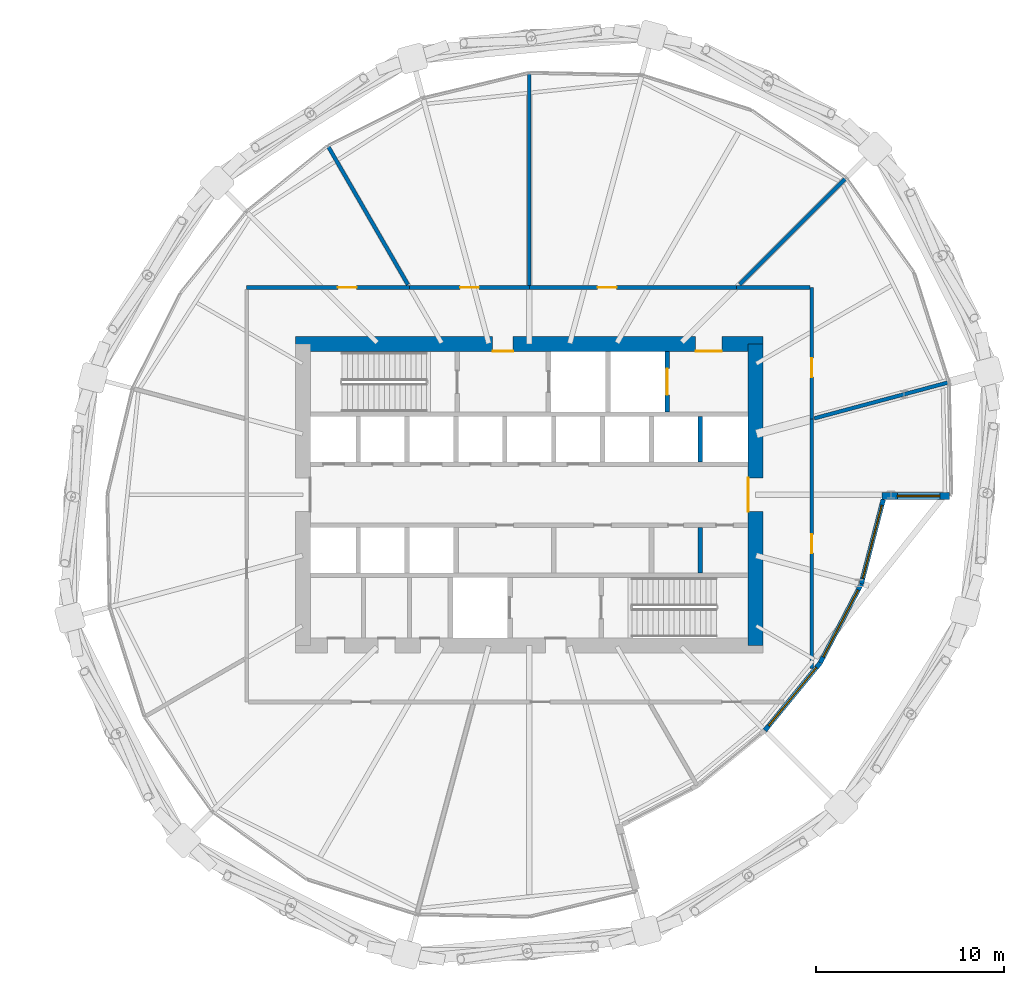
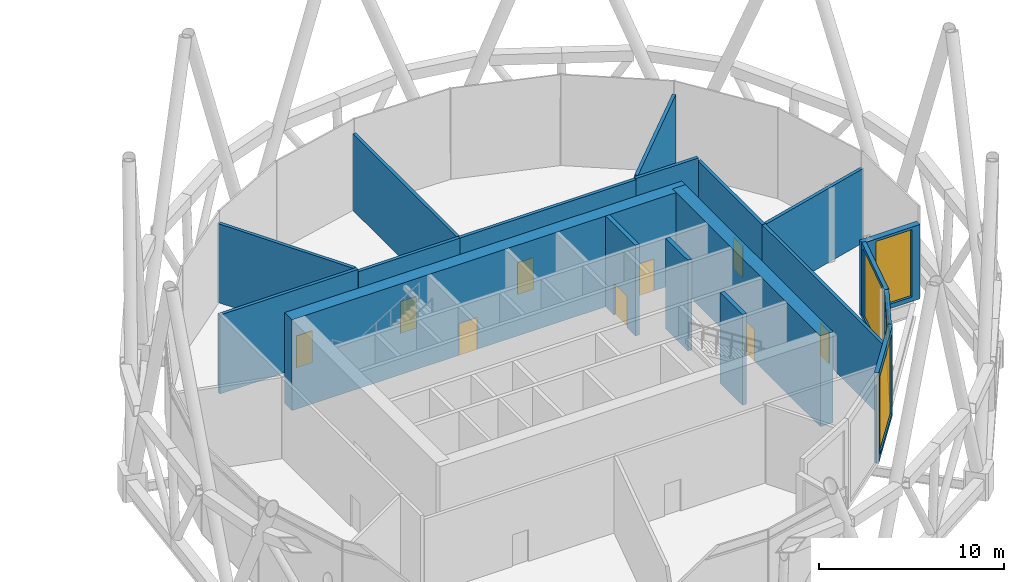
# One storey, part 30 of 33: 19 walls, 9 doors, 4 windows, 13 openings.
"""IFC4 building model written with IfcOpenShell, lengths in metres."""

from ifc_helpers import new_model, si_unit, direction, frame, frame_2d, origin, place, context, subcontext, project, spatial, rectangle, extrude, material, layer, layer_set, type_object, element, fill, save


model = new_model("IFC4")

# Units and contexts
model_context = context("Model", 3, precision=1e-05, world=origin(), true_north=direction((0.0, 1.0)))
body_context = subcontext(model_context, "Body", "Model", "MODEL_VIEW")
ifc_project = project(units=[si_unit("LENGTHUNIT", "METRE"), si_unit("AREAUNIT", "SQUARE_METRE"), si_unit("VOLUMEUNIT", "CUBIC_METRE"), si_unit("PLANEANGLEUNIT", "RADIAN"), si_unit("MASSUNIT", "GRAM", prefix="KILO")], contexts=[model_context])

# Site, building, storey
site_placement = place(None, origin())
site = spatial("IfcSite", under=ifc_project, at=site_placement, CompositionType="ELEMENT")
building_placement = place(site_placement, origin())
building = spatial("IfcBuilding", under=site, at=building_placement, Name="Rimbun Link Towers", CompositionType="ELEMENT")
storey_placement = place(building_placement, frame((0.0, 0.0, 75.60009765625)))
storey = spatial("IfcBuildingStorey", under=building, at=storey_placement, Name="L18", CompositionType="ELEMENT", Elevation=75.60009765625)

# Wall, opening, window
ifc_material_1 = material(Name="Dark enamelled glass spandrel on insulated aluminium backpan", Category="aluminium")
ifc_layer_1 = layer(ifc_material_1, 0.25)
ifc_layer_set_1 = layer_set([ifc_layer_1], Name="CS dark enamelled spandrel wall 250")
wall_type_1 = type_object("IfcWallType", Name="CS dark enamelled spandrel wall 250", PredefinedType="STANDARD", material=ifc_layer_set_1)
wall_1_placement = place(storey_placement, frame((47.193359375, -8.9248046875, 0.0), z_axis=(0.0, 0.0, 1.0), x_axis=(-0.633295189268, -0.773910332823, 0.0)))
wall_1 = element("IfcWall", 1, at=wall_1_placement, inside=storey, type_object=wall_type_1, Name="Crease spandrel wall", PredefinedType="STANDARD", context=body_context, shape_type="SweptSolid", body=[
    extrude(rectangle(XDim=4.63232421875, YDim=0.25, at=frame_2d((2.316162109375, 0.0))), origin(), (0.0, 0.0, 1.0), 6.0),
])
opening_1_placement = place(wall_1_placement, frame((0.316162109375, 0.0, 0.300048828125)))
opening_1 = element("IfcOpeningElement", 2, at=opening_1_placement, cuts=wall_1, Name="Opening WR40H520", PredefinedType="OPENING", context=body_context, shape_type="SweptSolid", body=[
    extrude(rectangle(XDim=4.0, YDim=5.199951171875, at=frame_2d((2.0, 2.60009765625))), frame((0.0, 0.135009765625, 0.0), z_axis=(0.0, -1.0, 0.0), x_axis=(1.0, 0.0, 0.0)), (0.0, 0.0, 1.0), 0.27001953125),
])
ifc_material_2 = material(Name="Aluminium framed fixed window, dark tinted low-e glass", Category="aluminium")
window_type_1 = type_object("IfcWindowType", Name="WR ribbon window 4000X5200", PartitioningType="SINGLE_PANEL", PredefinedType="WINDOW", material=ifc_material_2)
window_1_placement = place(opening_1_placement, origin())
window_1 = element("IfcWindow", 3, at=window_1_placement, inside=storey, type_object=window_type_1, Name="Crease ribbon window", OverallHeight=5.199951171875, OverallWidth=4.0, PartitioningType="SINGLE_PANEL", PredefinedType="WINDOW", context=body_context, shape_type="SweptSolid", body=[
    extrude(rectangle(XDim=4.0, YDim=5.199951171875, at=frame_2d((2.0, 2.60009765625))), frame((0.0, 0.030029296875, 0.0), z_axis=(0.0, -1.0, 0.0), x_axis=(1.0, 0.0, 0.0)), (0.0, 0.0, 1.0), 0.06005859375),
])
fill(opening_1, window_1)

wall_2_placement = place(storey_placement, frame((49.373779296875, -4.736083984375, 0.0), z_axis=(0.0, 0.0, 1.0), x_axis=(-0.461733607969, -0.887018644264, 0.0)))
wall_2 = element("IfcWall", 4, at=wall_2_placement, inside=storey, type_object=wall_type_1, Name="Crease spandrel wall", PredefinedType="STANDARD", context=body_context, shape_type="SweptSolid", body=[
    extrude(rectangle(XDim=4.72216796875, YDim=0.25, at=frame_2d((2.361083984375, 0.0))), origin(), (0.0, 0.0, 1.0), 4.989013671875),
])
opening_2_placement = place(wall_2_placement, frame((0.361083984375, 0.0, 0.300048828125)))
opening_2 = element("IfcOpeningElement", 5, at=opening_2_placement, cuts=wall_2, Name="Opening WR40H445", PredefinedType="OPENING", context=body_context, shape_type="SweptSolid", body=[
    extrude(rectangle(XDim=4.0, YDim=4.449951171875, at=frame_2d((2.0, 2.22509765625))), frame((0.0, 0.135009765625, 0.0), z_axis=(0.0, -1.0, 0.0), x_axis=(1.0, 0.0, 0.0)), (0.0, 0.0, 1.0), 0.27001953125),
])
ifc_material_3 = material(Name="Aluminium framed fixed window, dark tinted low-e glass", Category="aluminium")
window_type_2 = type_object("IfcWindowType", Name="WR ribbon window 4000X4450", PartitioningType="SINGLE_PANEL", PredefinedType="WINDOW", material=ifc_material_3)
window_2_placement = place(opening_2_placement, origin())
window_2 = element("IfcWindow", 6, at=window_2_placement, inside=storey, type_object=window_type_2, Name="Crease ribbon window", OverallHeight=4.449951171875, OverallWidth=4.0, PartitioningType="SINGLE_PANEL", PredefinedType="WINDOW", context=body_context, shape_type="SweptSolid", body=[
    extrude(rectangle(XDim=4.0, YDim=4.449951171875, at=frame_2d((2.0, 2.22509765625))), frame((0.0, 0.030029296875, 0.0), z_axis=(0.0, -1.0, 0.0), x_axis=(1.0, 0.0, 0.0)), (0.0, 0.0, 1.0), 0.06005859375),
])
fill(opening_2, window_2)

wall_3_placement = place(storey_placement, frame((50.542236328125, -0.25, 0.0), z_axis=(0.0, 0.0, 1.0), x_axis=(-0.252053132883, -0.967713396726, 0.0)))
wall_3 = element("IfcWall", 7, at=wall_3_placement, inside=storey, type_object=wall_type_1, Name="Crease spandrel wall", PredefinedType="STANDARD", context=body_context, shape_type="SweptSolid", body=[
    extrude(rectangle(XDim=4.6357421875, YDim=0.25, at=frame_2d((2.31787109375, 0.0))), origin(), (0.0, 0.0, 1.0), 4.989013671875),
])
opening_3_placement = place(wall_3_placement, frame((0.31787109375, 0.0, 0.300048828125)))
opening_3 = element("IfcOpeningElement", 8, at=opening_3_placement, cuts=wall_3, Name="Opening WR40H445", PredefinedType="OPENING", context=body_context, shape_type="SweptSolid", body=[
    extrude(rectangle(XDim=4.0, YDim=4.449951171875, at=frame_2d((2.0, 2.22509765625))), frame((0.0, 0.135009765625, 0.0), z_axis=(0.0, -1.0, 0.0), x_axis=(1.0, 0.0, 0.0)), (0.0, 0.0, 1.0), 0.27001953125),
])
window_3_placement = place(opening_3_placement, origin())
window_3 = element("IfcWindow", 9, at=window_3_placement, inside=storey, type_object=window_type_2, Name="Crease ribbon window", OverallHeight=4.449951171875, OverallWidth=4.0, PartitioningType="SINGLE_PANEL", PredefinedType="WINDOW", context=body_context, shape_type="SweptSolid", body=[
    extrude(rectangle(XDim=4.0, YDim=4.449951171875, at=frame_2d((2.0, 2.22509765625))), frame((0.0, 0.030029296875, 0.0), z_axis=(0.0, -1.0, 0.0), x_axis=(1.0, 0.0, 0.0)), (0.0, 0.0, 1.0), 0.06005859375),
])
fill(opening_3, window_3)

ifc_material_4 = material(Name="Dark enamelled glass spandrel on insulated aluminium backpan", Category="aluminium")
ifc_layer_2 = layer(ifc_material_4, 0.3701171875)
ifc_layer_set_2 = layer_set([ifc_layer_2], Name="CS dark enamelled spandrel wall 370")
wall_type_2 = type_object("IfcWallType", Name="CS dark enamelled spandrel wall 370", PredefinedType="STANDARD", material=ifc_layer_set_2)
wall_4_placement = place(storey_placement, frame((54.058349609375, -0.06494140625, 0.0), z_axis=(0.0, 0.0, 1.0), x_axis=(-1.0, 0.0, 0.0)))
wall_4 = element("IfcWall", 10, at=wall_4_placement, inside=storey, type_object=wall_type_2, Name="Crease spandrel wall", PredefinedType="STANDARD", context=body_context, shape_type="SweptSolid", body=[
    extrude(rectangle(XDim=3.580078125, YDim=0.3701171875, at=frame_2d((1.7900390625, 0.0))), origin(), (0.0, 0.0, 1.0), 4.91162109375),
])
opening_4_placement = place(wall_4_placement, frame((0.51220703125, 0.0, 0.300048828125)))
opening_4 = element("IfcOpeningElement", 11, at=opening_4_placement, cuts=wall_4, Name="Opening WR22H445", PredefinedType="OPENING", context=body_context, shape_type="SweptSolid", body=[
    extrude(rectangle(XDim=2.25, YDim=4.449951171875, at=frame_2d((1.125, 2.22509765625))), frame((0.0, 0.195068359375, 0.0), z_axis=(0.0, -1.0, 0.0), x_axis=(1.0, 0.0, 0.0)), (0.0, 0.0, 1.0), 0.39013671875),
])
ifc_material_5 = material(Name="Aluminium framed fixed window, dark tinted low-e glass", Category="aluminium")
window_type_3 = type_object("IfcWindowType", Name="WR ribbon window 2250X4450", PartitioningType="SINGLE_PANEL", PredefinedType="WINDOW", material=ifc_material_5)
window_4_placement = place(opening_4_placement, origin())
window_4 = element("IfcWindow", 12, at=window_4_placement, inside=storey, type_object=window_type_3, Name="Crease ribbon window", OverallHeight=4.449951171875, OverallWidth=2.25, PartitioningType="SINGLE_PANEL", PredefinedType="WINDOW", context=body_context, shape_type="SweptSolid", body=[
    extrude(rectangle(XDim=2.25, YDim=4.449951171875, at=frame_2d((1.125, 2.22509765625))), frame((0.0, 0.030029296875, 0.0), z_axis=(0.0, -1.0, 0.0), x_axis=(1.0, 0.0, 0.0)), (0.0, 0.0, 1.0), 0.06005859375),
])
fill(opening_4, window_4)

# Wall, openings, doors
ifc_material_6 = material(Name="Concrete C60/75", Category="concrete")
ifc_layer_3 = layer(ifc_material_6, 0.800048828125)
ifc_layer_set_3 = layer_set([ifc_layer_3], Name="Core shear wall 800")
wall_type_3 = type_object("IfcWallType", Name="Core shear wall 800", PredefinedType="SHEAR", material=ifc_layer_set_3)
wall_5_placement = place(storey_placement, frame((19.35009765625, 8.0, 0.0), z_axis=(0.0, 0.0, 1.0), x_axis=(1.0, 0.0, 0.0)))
wall_5 = element("IfcWall", 13, at=wall_5_placement, inside=storey, type_object=wall_type_3, Name="L18 T2 core wall N", PredefinedType="SHEAR", context=body_context, shape_type="SweptSolid", body=[
    extrude(rectangle(XDim=24.7998046875, YDim=0.800048828125, at=frame_2d((12.39990234375, 0.0))), origin(), (0.0, 0.0, 1.0), 6.0),
])
opening_5_placement = place(wall_5_placement, frame((10.449951171875, 0.0, 0.0)))
opening_5 = element("IfcOpeningElement", 14, at=opening_5_placement, cuts=wall_5, Name="Opening C2DCF01N", PredefinedType="OPENING", context=body_context, shape_type="SweptSolid", body=[
    extrude(rectangle(XDim=1.10009765625, YDim=2.10009765625, at=frame_2d((0.550048828125, 1.050048828125))), frame((0.0, 0.409912109375, 0.0), z_axis=(0.0, -1.0, 0.0), x_axis=(1.0, 0.0, 0.0)), (0.0, 0.0, 1.0), 0.820068359375),
])
opening_6_placement = place(wall_5_placement, frame((21.22509765625, 0.0, 0.0)))
opening_6 = element("IfcOpeningElement", 15, at=opening_6_placement, cuts=wall_5, Name="Opening C2DSL02N", PredefinedType="OPENING", context=body_context, shape_type="SweptSolid", body=[
    extrude(rectangle(XDim=1.39990234375, YDim=2.10009765625, at=frame_2d((0.699951171875, 1.050048828125))), frame((0.0, 0.409912109375, 0.0), z_axis=(0.0, -1.0, 0.0), x_axis=(1.0, 0.0, 0.0)), (0.0, 0.0, 1.0), 0.820068359375),
])
ifc_material_7 = material(Name="Steel fire door set", Category="steel")
door_type_1 = type_object("IfcDoorType", Name="Core fire door single", OperationType="SINGLE_SWING_LEFT", PredefinedType="DOOR", material=ifc_material_7)
door_1_placement = place(opening_5_placement, origin())
door_1 = element("IfcDoor", 16, at=door_1_placement, inside=storey, type_object=door_type_1, Name="L18 T2 firefighting lobby n door", OperationType="SINGLE_SWING_LEFT", OverallHeight=2.10009765625, OverallWidth=1.10009765625, PredefinedType="DOOR", context=body_context, shape_type="SweptSolid", body=[
    extrude(rectangle(XDim=1.10009765625, YDim=2.10009765625, at=frame_2d((0.550048828125, 1.050048828125))), frame((0.0, -0.35009765625, 0.0), z_axis=(0.0, -1.0, 0.0), x_axis=(1.0, 0.0, 0.0)), (0.0, 0.0, 1.0), 0.050048828125),
])
fill(opening_5, door_1)
ifc_material_8 = material(Name="Steel fire door set", Category="steel")
door_type_2 = type_object("IfcDoorType", Name="Service lobby door double", OperationType="DOUBLE_DOOR_SINGLE_SWING", PredefinedType="DOOR", material=ifc_material_8)
door_2_placement = place(opening_6_placement, origin())
door_2 = element("IfcDoor", 17, at=door_2_placement, inside=storey, type_object=door_type_2, Name="L18 T2 service lobby door", OperationType="DOUBLE_DOOR_SINGLE_SWING", OverallHeight=2.10009765625, OverallWidth=1.39990234375, PredefinedType="DOOR", context=body_context, shape_type="SweptSolid", body=[
    extrude(rectangle(XDim=1.39990234375, YDim=2.10009765625, at=frame_2d((0.699951171875, 1.050048828125))), frame((0.0, -0.35009765625, 0.0), z_axis=(0.0, -1.0, 0.0), x_axis=(1.0, 0.0, 0.0)), (0.0, 0.0, 1.0), 0.050048828125),
])
fill(opening_6, door_2)

# Wall, opening, door
wall_6_placement = place(storey_placement, frame((43.75, -8.0, 0.0), z_axis=(0.0, 0.0, 1.0), x_axis=(0.0, 1.0, 0.0)))
wall_6 = element("IfcWall", 18, at=wall_6_placement, inside=storey, type_object=wall_type_3, Name="L18 T2 core wall E", PredefinedType="SHEAR", context=body_context, shape_type="SweptSolid", body=[
    extrude(rectangle(XDim=16.0, YDim=0.800048828125, at=frame_2d((8.0, 0.0))), origin(), (0.0, 0.0, 1.0), 6.0),
])
opening_7_placement = place(wall_6_placement, frame((7.10009765625, 0.0, 0.0)))
opening_7 = element("IfcOpeningElement", 19, at=opening_7_placement, cuts=wall_6, Name="Opening C2DCL01E", PredefinedType="OPENING", context=body_context, shape_type="SweptSolid", body=[
    extrude(rectangle(XDim=1.800048828125, YDim=2.10009765625, at=frame_2d((0.89990234375, 1.050048828125))), frame((0.0, 0.409912109375, 0.0), z_axis=(0.0, -1.0, 0.0), x_axis=(1.0, 0.0, 0.0)), (0.0, 0.0, 1.0), 0.820068359375),
])
ifc_material_9 = material(Name="Steel fire door set", Category="steel")
door_type_3 = type_object("IfcDoorType", Name="Core lobby door double", OperationType="DOUBLE_DOOR_SINGLE_SWING", PredefinedType="DOOR", material=ifc_material_9)
door_3_placement = place(opening_7_placement, origin())
door_3 = element("IfcDoor", 20, at=door_3_placement, inside=storey, type_object=door_type_3, Name="L18 T2 lift lobby door", OperationType="DOUBLE_DOOR_SINGLE_SWING", OverallHeight=2.10009765625, OverallWidth=1.800048828125, PredefinedType="DOOR", context=body_context, shape_type="SweptSolid", body=[
    extrude(rectangle(XDim=1.800048828125, YDim=2.10009765625, at=frame_2d((0.89990234375, 1.050048828125))), frame((0.0, 0.39990234375, 0.0), z_axis=(0.0, -1.0, 0.0), x_axis=(1.0, 0.0, 0.0)), (0.0, 0.0, 1.0), 0.050048828125),
])
fill(opening_7, door_3)

ifc_material_10 = material(Name="Concrete blockwork", Category="masonry")
ifc_layer_4 = layer(ifc_material_10, 0.199951171875)
ifc_layer_set_4 = layer_set([ifc_layer_4], Name="Fire partition 200 blockwork")
wall_type_4 = type_object("IfcWallType", Name="Fire partition 200 blockwork", PredefinedType="PARTITIONING", material=ifc_layer_set_4)
wall_7_placement = place(storey_placement, frame((46.75, -9.21923828125, 0.0), z_axis=(0.0, 0.0, 1.0), x_axis=(0.0, 1.0, 0.0)))
wall_7 = element("IfcWall", 21, at=wall_7_placement, inside=storey, type_object=wall_type_4, Name="TW/PW/L18/028", PredefinedType="PARTITIONING", context=body_context, shape_type="SweptSolid", body=[
    extrude(rectangle(XDim=13.238525390625, YDim=0.199951171875, at=frame_2d((6.619140625, 0.0))), origin(), (0.0, 0.0, 1.0), 4.90185546875),
])
opening_8_placement = place(wall_7_placement, frame((6.118896484375, 0.0, 0.0)))
opening_8 = element("IfcOpeningElement", 22, at=opening_8_placement, cuts=wall_7, Name="Opening TW D18.13", PredefinedType="OPENING", context=body_context, shape_type="SweptSolid", body=[
    extrude(rectangle(XDim=1.0, YDim=2.10009765625, at=frame_2d((0.5, 1.050048828125))), frame((0.0, 0.10986328125, 0.0), z_axis=(0.0, -1.0, 0.0), x_axis=(1.0, 0.0, 0.0)), (0.0, 0.0, 1.0), 0.219970703125),
])
ifc_material_11 = material(Name="Steel fire door set", Category="steel")
door_type_4 = type_object("IfcDoorType", Name="Fire door single leaf 1000 x 2100", OperationType="NOTDEFINED", PredefinedType="DOOR", material=ifc_material_11)
door_4_placement = place(opening_8_placement, origin())
door_4 = element("IfcDoor", 23, at=door_4_placement, inside=storey, type_object=door_type_4, Name="TW/DR/L18/013", OperationType="SINGLE_SWING_RIGHT", OverallHeight=2.10009765625, OverallWidth=1.0, PredefinedType="DOOR", context=body_context, shape_type="SweptSolid", body=[
    extrude(rectangle(XDim=1.0, YDim=2.10009765625, at=frame_2d((0.5, 1.050048828125))), frame((0.0, 0.02490234375, 0.0), z_axis=(0.0, -1.0, 0.0), x_axis=(1.0, 0.0, 0.0)), (0.0, 0.0, 1.0), 0.050048828125),
])
fill(opening_8, door_4)

wall_8_placement = place(storey_placement, frame((46.75, 4.019287109375, 0.0), z_axis=(0.0, 0.0, 1.0), x_axis=(0.0, 1.0, 0.0)))
wall_8 = element("IfcWall", 24, at=wall_8_placement, inside=storey, type_object=wall_type_4, Name="TW/PW/L18/029", PredefinedType="PARTITIONING", context=body_context, shape_type="SweptSolid", body=[
    extrude(rectangle(XDim=6.980712890625, YDim=0.199951171875, at=frame_2d((3.490234375, 0.0))), origin(), (0.0, 0.0, 1.0), 4.90185546875),
])
opening_9_placement = place(wall_8_placement, frame((2.22802734375, 0.0, 0.0)))
opening_9 = element("IfcOpeningElement", 25, at=opening_9_placement, cuts=wall_8, Name="Opening TW D18.14", PredefinedType="OPENING", context=body_context, shape_type="SweptSolid", body=[
    extrude(rectangle(XDim=1.0, YDim=2.10009765625, at=frame_2d((0.5, 1.050048828125))), frame((0.0, 0.10986328125, 0.0), z_axis=(0.0, -1.0, 0.0), x_axis=(1.0, 0.0, 0.0)), (0.0, 0.0, 1.0), 0.219970703125),
])
door_5_placement = place(opening_9_placement, origin())
door_5 = element("IfcDoor", 26, at=door_5_placement, inside=storey, type_object=door_type_4, Name="TW/DR/L18/014", OperationType="SINGLE_SWING_LEFT", OverallHeight=2.10009765625, OverallWidth=1.0, PredefinedType="DOOR", context=body_context, shape_type="SweptSolid", body=[
    extrude(rectangle(XDim=1.0, YDim=2.10009765625, at=frame_2d((0.5, 1.050048828125))), frame((0.0, 0.02490234375, 0.0), z_axis=(0.0, -1.0, 0.0), x_axis=(1.0, 0.0, 0.0)), (0.0, 0.0, 1.0), 0.050048828125),
])
fill(opening_9, door_5)

# Wall
wall_9_placement = place(storey_placement, frame((46.64990234375, 11.0, 0.0), z_axis=(0.0, 0.0, 1.0), x_axis=(-1.0, 0.0, 0.0)))
element("IfcWall", 27, at=wall_9_placement, inside=storey, type_object=wall_type_4, Name="TW/PW/L18/030", PredefinedType="PARTITIONING", context=body_context, shape_type="SweptSolid", body=[
    extrude(rectangle(XDim=3.89990234375, YDim=0.199951171875, at=frame_2d((1.949951171875, 0.0))), origin(), (0.0, 0.0, 1.0), 5.135986328125),
])

# Wall, opening, door
wall_10_placement = place(storey_placement, frame((42.75, 11.0, 0.0), z_axis=(0.0, 0.0, 1.0), x_axis=(-1.0, 0.0, 0.0)))
wall_10 = element("IfcWall", 28, at=wall_10_placement, inside=storey, type_object=wall_type_4, Name="TW/PW/L18/031", PredefinedType="PARTITIONING", context=body_context, shape_type="SweptSolid", body=[
    extrude(rectangle(XDim=11.0, YDim=0.199951171875, at=frame_2d((5.5, 0.0))), origin(), (0.0, 0.0, 1.0), 5.057861328125),
])
opening_10_placement = place(wall_10_placement, frame((6.364990234375, 0.0, 0.0)))
opening_10 = element("IfcOpeningElement", 29, at=opening_10_placement, cuts=wall_10, Name="Opening TW D18.15", PredefinedType="OPENING", context=body_context, shape_type="SweptSolid", body=[
    extrude(rectangle(XDim=1.0, YDim=2.10009765625, at=frame_2d((0.5, 1.050048828125))), frame((0.0, 0.10986328125, 0.0), z_axis=(0.0, -1.0, 0.0), x_axis=(1.0, 0.0, 0.0)), (0.0, 0.0, 1.0), 0.219970703125),
])
door_6_placement = place(opening_10_placement, origin())
door_6 = element("IfcDoor", 30, at=door_6_placement, inside=storey, type_object=door_type_4, Name="TW/DR/L18/015", OperationType="SINGLE_SWING_RIGHT", OverallHeight=2.10009765625, OverallWidth=1.0, PredefinedType="DOOR", context=body_context, shape_type="SweptSolid", body=[
    extrude(rectangle(XDim=1.0, YDim=2.10009765625, at=frame_2d((0.5, 1.050048828125))), frame((0.0, 0.02490234375, 0.0), z_axis=(0.0, -1.0, 0.0), x_axis=(1.0, 0.0, 0.0)), (0.0, 0.0, 1.0), 0.050048828125),
])
fill(opening_10, door_6)

wall_11_placement = place(storey_placement, frame((31.75, 11.0, 0.0), z_axis=(0.0, 0.0, 1.0), x_axis=(-1.0, 0.0, 0.0)))
wall_11 = element("IfcWall", 31, at=wall_11_placement, inside=storey, type_object=wall_type_4, Name="TW/PW/L18/032", PredefinedType="PARTITIONING", context=body_context, shape_type="SweptSolid", body=[
    extrude(rectangle(XDim=6.350830078125, YDim=0.199951171875, at=frame_2d((3.17529296875, 0.0))), origin(), (0.0, 0.0, 1.0), 5.057861328125),
])
opening_11_placement = place(wall_11_placement, frame((2.675048828125, 0.0, 0.0)))
opening_11 = element("IfcOpeningElement", 32, at=opening_11_placement, cuts=wall_11, Name="Opening TW D18.16", PredefinedType="OPENING", context=body_context, shape_type="SweptSolid", body=[
    extrude(rectangle(XDim=1.0, YDim=2.10009765625, at=frame_2d((0.5, 1.050048828125))), frame((0.0, 0.10986328125, 0.0), z_axis=(0.0, -1.0, 0.0), x_axis=(1.0, 0.0, 0.0)), (0.0, 0.0, 1.0), 0.219970703125),
])
door_7_placement = place(opening_11_placement, origin())
door_7 = element("IfcDoor", 33, at=door_7_placement, inside=storey, type_object=door_type_4, Name="TW/DR/L18/016", OperationType="SINGLE_SWING_LEFT", OverallHeight=2.10009765625, OverallWidth=1.0, PredefinedType="DOOR", context=body_context, shape_type="SweptSolid", body=[
    extrude(rectangle(XDim=1.0, YDim=2.10009765625, at=frame_2d((0.5, 1.050048828125))), frame((0.0, 0.02490234375, 0.0), z_axis=(0.0, -1.0, 0.0), x_axis=(1.0, 0.0, 0.0)), (0.0, 0.0, 1.0), 0.050048828125),
])
fill(opening_11, door_7)

wall_12_placement = place(storey_placement, frame((25.399169921875, 11.0, 0.0), z_axis=(0.0, 0.0, 1.0), x_axis=(-1.0, 0.0, 0.0)))
wall_12 = element("IfcWall", 34, at=wall_12_placement, inside=storey, type_object=wall_type_4, Name="TW/PW/L18/033", PredefinedType="PARTITIONING", context=body_context, shape_type="SweptSolid", body=[
    extrude(rectangle(XDim=8.649169921875, YDim=0.199951171875, at=frame_2d((4.32470703125, 0.0))), origin(), (0.0, 0.0, 1.0), 5.216796875),
])
opening_12_placement = place(wall_12_placement, frame((2.81201171875, 0.0, 0.0)))
opening_12 = element("IfcOpeningElement", 35, at=opening_12_placement, cuts=wall_12, Name="Opening TW D18.17", PredefinedType="OPENING", context=body_context, shape_type="SweptSolid", body=[
    extrude(rectangle(XDim=1.0, YDim=2.10009765625, at=frame_2d((0.5, 1.050048828125))), frame((0.0, 0.10986328125, 0.0), z_axis=(0.0, -1.0, 0.0), x_axis=(1.0, 0.0, 0.0)), (0.0, 0.0, 1.0), 0.219970703125),
])
door_8_placement = place(opening_12_placement, origin())
door_8 = element("IfcDoor", 36, at=door_8_placement, inside=storey, type_object=door_type_4, Name="TW/DR/L18/017", OperationType="SINGLE_SWING_RIGHT", OverallHeight=2.10009765625, OverallWidth=1.0, PredefinedType="DOOR", context=body_context, shape_type="SweptSolid", body=[
    extrude(rectangle(XDim=1.0, YDim=2.10009765625, at=frame_2d((0.5, 1.050048828125))), frame((0.0, 0.02490234375, 0.0), z_axis=(0.0, -1.0, 0.0), x_axis=(1.0, 0.0, 0.0)), (0.0, 0.0, 1.0), 0.050048828125),
])
fill(opening_12, door_8)

# Walls
wall_13_placement = place(storey_placement, frame((54.0302734375, 5.969970703125, 0.0), z_axis=(0.0, 0.0, 1.0), x_axis=(-0.965925687312, -0.258819563772, 0.0)))
element("IfcWall", 37, at=wall_13_placement, inside=storey, type_object=wall_type_4, Name="TW/PW/L18/039", PredefinedType="PARTITIONING", context=body_context, shape_type="SweptSolid", body=[
    extrude(rectangle(XDim=7.40673828125, YDim=0.199951171875, at=frame_2d((3.703369140625, 0.0))), origin(), (0.0, 0.0, 1.0), 4.90185546875),
])
wall_14_placement = place(storey_placement, frame((48.5126953125, 16.7626953125, 0.0), z_axis=(0.0, 0.0, 1.0), x_axis=(-0.707106781187, -0.707106781187, 0.0)))
element("IfcWall", 38, at=wall_14_placement, inside=storey, type_object=wall_type_4, Name="TW/PW/L18/040", PredefinedType="PARTITIONING", context=body_context, shape_type="SweptSolid", body=[
    extrude(rectangle(XDim=7.908447265625, YDim=0.199951171875, at=frame_2d((3.9541015625, 0.0))), origin(), (0.0, 0.0, 1.0), 5.135986328125),
])
wall_15_placement = place(storey_placement, frame((31.75, 22.328369140625, 0.0), z_axis=(0.0, 0.0, 1.0), x_axis=(0.0, -1.0, 0.0)))
element("IfcWall", 39, at=wall_15_placement, inside=storey, type_object=wall_type_4, Name="TW/PW/L18/041", PredefinedType="PARTITIONING", context=body_context, shape_type="SweptSolid", body=[
    extrude(rectangle(XDim=11.228271484375, YDim=0.199951171875, at=frame_2d((5.6142578125, 0.0))), origin(), (0.0, 0.0, 1.0), 5.057861328125),
])
wall_16_placement = place(storey_placement, frame((21.054443359375, 18.525390625, 0.0), z_axis=(0.0, 0.0, 1.0), x_axis=(0.499983839545, -0.866034733826, 0.0)))
element("IfcWall", 40, at=wall_16_placement, inside=storey, type_object=wall_type_4, Name="TW/PW/L18/042", PredefinedType="PARTITIONING", context=body_context, shape_type="SweptSolid", body=[
    extrude(rectangle(XDim=8.516357421875, YDim=0.199951171875, at=frame_2d((4.25830078125, 0.0))), origin(), (0.0, 0.0, 1.0), 5.216796875),
])
ifc_material_12 = material(Name="Concrete C60/75", Category="concrete")
ifc_layer_5 = layer(ifc_material_12, 0.25)
ifc_layer_set_5 = layer_set([ifc_layer_5], Name="Shaft wall 250")
wall_type_5 = type_object("IfcWallType", Name="Shaft wall 250", PredefinedType="SHEAR", material=ifc_layer_set_5)
for number, where, z_axis, x_axis, name in (
    (41, (40.83056640625, 1.75, 0.0), (0.0, 0.0, 1.0), (0.0, 1.0, 0.0), "L18 T2 core wall DN7"),
    (42, (40.83056640625, -4.14990234375, 0.0), (0.0, 0.0, 1.0), (0.0, 1.0, 0.0), "L18 T2 core wall DS7"),
):
    element("IfcWall", number, at=place(storey_placement, frame(where, z_axis=z_axis, x_axis=x_axis)), inside=storey, type_object=wall_type_5, Name=name, PredefinedType="SHEAR", context=body_context, shape_type="SweptSolid", body=[
        extrude(rectangle(XDim=2.39990234375, YDim=0.25, at=frame_2d((1.199951171875, 0.0))), origin(), (0.0, 0.0, 1.0), 6.0),
    ])

# Wall, opening, door
wall_17_placement = place(storey_placement, frame((39.074951171875, 4.39990234375, 0.0), z_axis=(0.0, 0.0, 1.0), x_axis=(0.0, 1.0, 0.0)))
wall_17 = element("IfcWall", 43, at=wall_17_placement, inside=storey, type_object=wall_type_5, Name="L18 T2 core wall A4", PredefinedType="SHEAR", context=body_context, shape_type="SweptSolid", body=[
    extrude(rectangle(XDim=3.2001953125, YDim=0.25, at=frame_2d((1.60009765625, 0.0))), origin(), (0.0, 0.0, 1.0), 6.0),
])
opening_13_placement = place(wall_17_placement, frame((0.89990234375, 0.0, 0.0)))
opening_13 = element("IfcOpeningElement", 44, at=opening_13_placement, cuts=wall_17, Name="Opening LD-T2-GL1", PredefinedType="OPENING", context=body_context, shape_type="SweptSolid", body=[
    extrude(rectangle(XDim=1.39990234375, YDim=2.10009765625, at=frame_2d((0.699951171875, 1.050048828125))), frame((0.0, 0.135009765625, 0.0), z_axis=(0.0, -1.0, 0.0), x_axis=(1.0, 0.0, 0.0)), (0.0, 0.0, 1.0), 0.27001953125),
])
ifc_material_13 = material(Name="Stainless steel grade 316", Category="steel")
door_type_5 = type_object("IfcDoorType", Name="Goods lift landing door", OperationType="DOUBLE_DOOR_SLIDING", PredefinedType="DOOR", material=ifc_material_13)
door_9_placement = place(opening_13_placement, origin())
door_9 = element("IfcDoor", 45, at=door_9_placement, inside=storey, type_object=door_type_5, Name="L18 T2 lift GL1 landing door", OperationType="DOUBLE_DOOR_SLIDING", OverallHeight=2.10009765625, OverallWidth=1.39990234375, PredefinedType="DOOR", context=body_context, shape_type="SweptSolid", body=[
    extrude(rectangle(XDim=1.39990234375, YDim=2.10009765625, at=frame_2d((0.699951171875, 1.050048828125))), frame((0.0, 0.02490234375, 0.0), z_axis=(0.0, -1.0, 0.0), x_axis=(1.0, 0.0, 0.0)), (0.0, 0.0, 1.0), 0.050048828125),
])
fill(opening_13, door_9)

save(model, "model.ifc")
